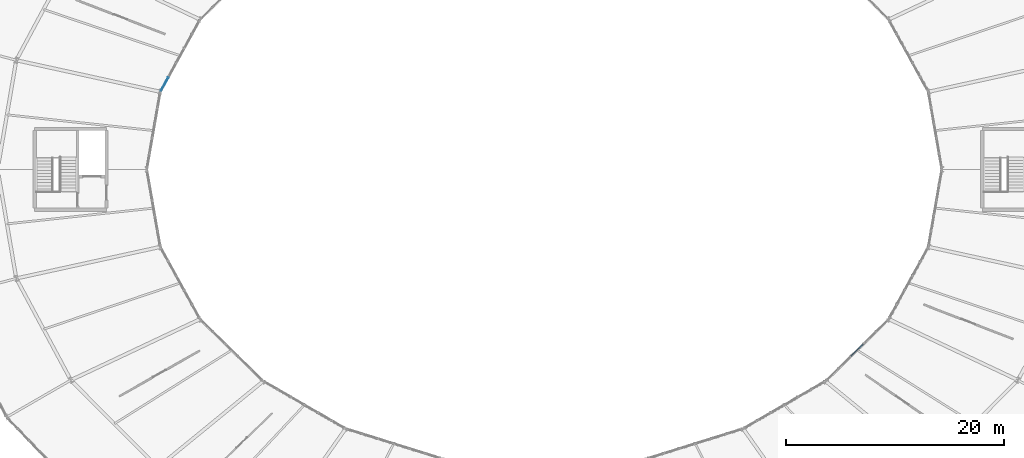
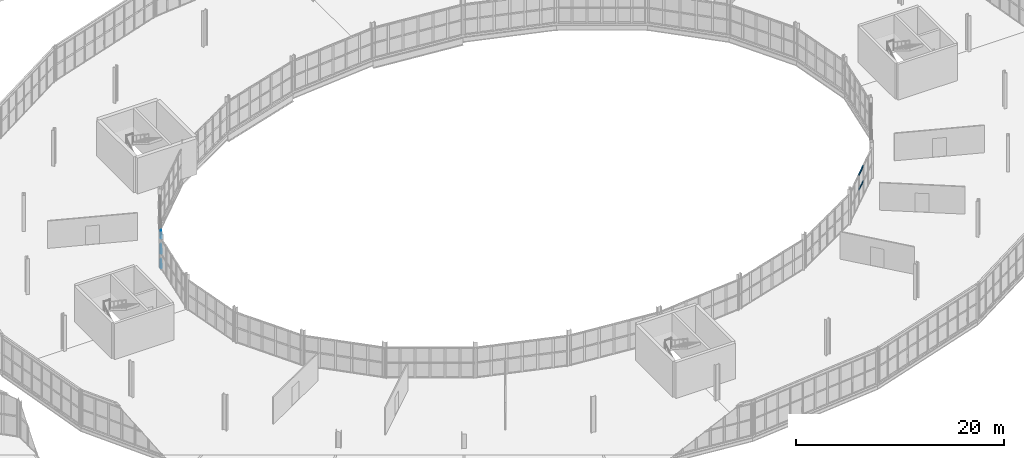
# One storey, part 64 of 161: 5 members, 2 elements without a shape of their own.
"""IFC4 building model written with IfcOpenShell, lengths in metres."""

from ifc_helpers import new_model, si_unit, direction, frame, origin, origin_2d, place, context, subcontext, project, spatial, rectangle, extrude, material, material_profile, profile_set, type_object, element, aggregate, save


model = new_model("IFC4")

# Units and contexts
model_context = context("Model", 3, precision=1e-05, world=origin(), true_north=direction((0.0, 1.0)))
body_context = subcontext(model_context, "Body", "Model", "MODEL_VIEW")
ifc_project = project(units=[si_unit("LENGTHUNIT", "METRE"), si_unit("AREAUNIT", "SQUARE_METRE"), si_unit("VOLUMEUNIT", "CUBIC_METRE"), si_unit("PLANEANGLEUNIT", "RADIAN"), si_unit("MASSUNIT", "GRAM", prefix="KILO")], contexts=[model_context])

# Site, building, storey
site_placement = place(None, origin())
site = spatial("IfcSite", under=ifc_project, at=site_placement, CompositionType="ELEMENT")
building_placement = place(site_placement, origin())
building = spatial("IfcBuilding", under=site, at=building_placement, Name="Kildeholm Park Wholesale Market", CompositionType="ELEMENT")
storey_placement = place(building_placement, frame((0.0, 0.0, 5.39990234375)))
storey = spatial("IfcBuildingStorey", under=building, at=storey_placement, Name="L01", CompositionType="ELEMENT", Elevation=5.39990234375)

# Curtain wall, members
ifc_material_1 = material(Name="Anodised aluminium and low-E double-glazed glass", Category="aluminium")
curtain_wall_type = type_object("IfcCurtainWallType", Name="Market hall glazed arcade stick curtain wall CW-01", PredefinedType="NOTDEFINED", material=ifc_material_1)
curtain_wall_1_placement = place(storey_placement, origin())
curtain_wall_1 = element("IfcCurtainWall", 1, at=curtain_wall_1_placement, inside=storey, type_object=curtain_wall_type, Name="Curtain wall CW-V1-IN1-10 CW-0052", PredefinedType="NOTDEFINED")
ifc_material_2 = material(Name="Anodised aluminium", Category="aluminium")
ifc_material_profile = material_profile(ifc_material_2, rectangle(XDim=0.074951171875, YDim=0.159912109375, at=origin_2d()), Name="CWT 75x160")
ifc_profile_set = profile_set([ifc_material_profile], Name="Anodised aluminium")
member_type = type_object("IfcMemberType", Name="Curtain-wall transom CWT-2 CWT 75x160", PredefinedType="USERDEFINED", material=ifc_profile_set)
member_1_placement = place(storey_placement, frame((64.46044921875, 97.933837890625, 0.03759765625), z_axis=(-0.481627830616, -0.876375851319, 0.0), x_axis=(0.876375851319, -0.481627830616, 0.0)))
member_1 = element("IfcMember", 2, at=member_1_placement, type_object=member_type, Name="CW-01 transom 5.1 MEM-1847", ObjectType="TRANSOM", PredefinedType="USERDEFINED", context=body_context, shape_type="SweptSolid", body=[
    extrude(rectangle(XDim=0.074951171875, YDim=0.159912109375, at=origin_2d()), origin(), (0.0, 0.0, 1.0), 1.385498046875),
])
member_2_placement = place(storey_placement, frame((64.46044921875, 97.933837890625, 1.775146484375), z_axis=(-0.481627830616, -0.876375851319, 0.0), x_axis=(0.876375851319, -0.481627830616, 0.0)))
member_2 = element("IfcMember", 3, at=member_2_placement, type_object=member_type, Name="CW-01 transom 5.2 MEM-1848", ObjectType="TRANSOM", PredefinedType="USERDEFINED", context=body_context, shape_type="SweptSolid", body=[
    extrude(rectangle(XDim=0.074951171875, YDim=0.159912109375, at=origin_2d()), origin(), (0.0, 0.0, 1.0), 1.385498046875),
])
member_3_placement = place(storey_placement, frame((64.46044921875, 97.933837890625, 3.5126953125), z_axis=(-0.481627830616, -0.876375851319, 0.0), x_axis=(0.876375851319, -0.481627830616, 0.0)))
member_3 = element("IfcMember", 4, at=member_3_placement, type_object=member_type, Name="CW-01 transom 5.3 MEM-1849", ObjectType="TRANSOM", PredefinedType="USERDEFINED", context=body_context, shape_type="SweptSolid", body=[
    extrude(rectangle(XDim=0.074951171875, YDim=0.159912109375, at=origin_2d()), origin(), (0.0, 0.0, 1.0), 1.385498046875),
])
aggregate(curtain_wall_1, [member_1, member_2, member_3])

curtain_wall_2_placement = place(storey_placement, origin())
curtain_wall_2 = element("IfcCurtainWall", 5, at=curtain_wall_2_placement, inside=storey, type_object=curtain_wall_type, Name="Curtain wall CW-V1-IN1-21 CW-0107", PredefinedType="NOTDEFINED")
member_4_placement = place(storey_placement, frame((127.1669921875, 72.36181640625, 1.775146484375), z_axis=(0.713520588004, 0.700634263003, 0.0), x_axis=(-0.700634263003, 0.713520588004, 0.0)))
member_4 = element("IfcMember", 6, at=member_4_placement, type_object=member_type, Name="CW-01 transom 3.2 MEM-3369", ObjectType="TRANSOM", PredefinedType="USERDEFINED", context=body_context, shape_type="SweptSolid", body=[
    extrude(rectangle(XDim=0.074951171875, YDim=0.159912109375, at=origin_2d()), origin(), (0.0, 0.0, 1.0), 1.53466796875),
])
member_5_placement = place(storey_placement, frame((127.1669921875, 72.36181640625, 3.5126953125), z_axis=(0.713520588004, 0.700634263003, 0.0), x_axis=(-0.700634263003, 0.713520588004, 0.0)))
member_5 = element("IfcMember", 7, at=member_5_placement, type_object=member_type, Name="CW-01 transom 3.3 MEM-3370", ObjectType="TRANSOM", PredefinedType="USERDEFINED", context=body_context, shape_type="SweptSolid", body=[
    extrude(rectangle(XDim=0.074951171875, YDim=0.159912109375, at=origin_2d()), origin(), (0.0, 0.0, 1.0), 1.53466796875),
])
aggregate(curtain_wall_2, [member_4, member_5])

save(model, "model.ifc")
